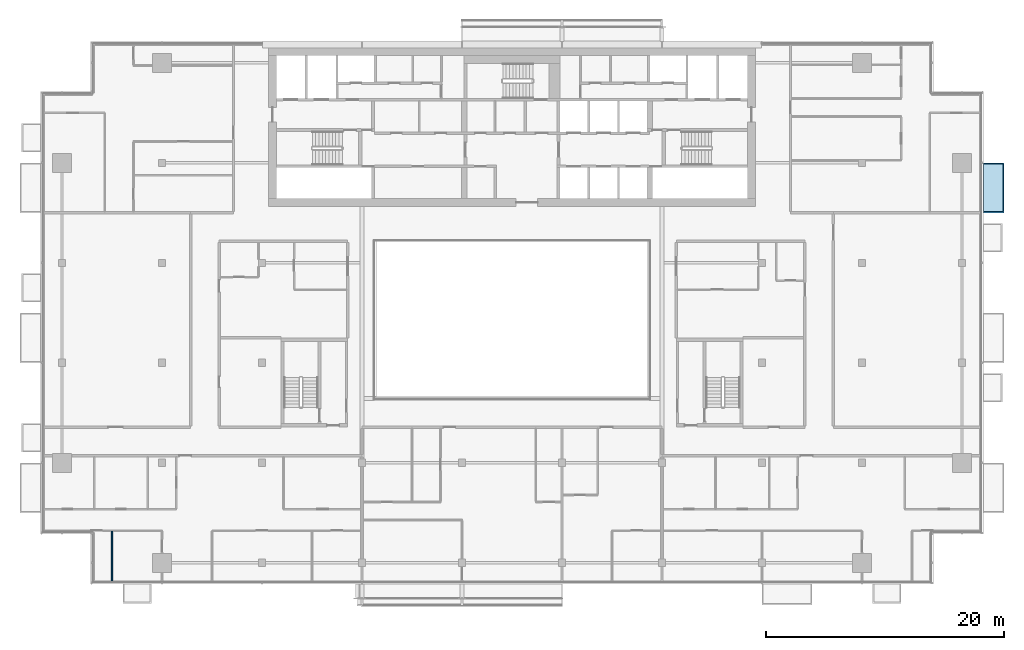
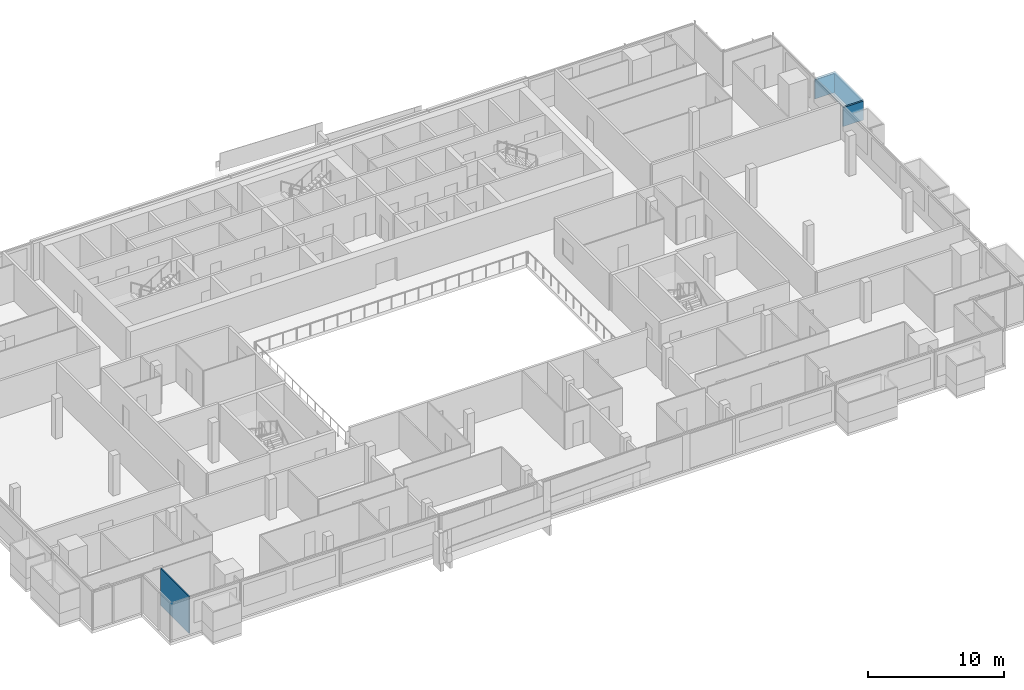
# One storey, part 17 of 27: 2 plates, 1 wall.
"""IFC4 building model written with IfcOpenShell, lengths in metres."""

from ifc_helpers import new_model, si_unit, direction, frame, frame_2d, origin, place, context, subcontext, project, spatial, polyline, rectangle, outline, extrude, material, layer, layer_set, type_object, element, save


model = new_model("IFC4")

# Units and contexts
model_context = context("Model", 3, precision=1e-05, world=origin(), true_north=direction((0.0, 1.0)))
body_context = subcontext(model_context, "Body", "Model", "MODEL_VIEW")
ifc_project = project(units=[si_unit("LENGTHUNIT", "METRE"), si_unit("AREAUNIT", "SQUARE_METRE"), si_unit("VOLUMEUNIT", "CUBIC_METRE"), si_unit("PLANEANGLEUNIT", "RADIAN"), si_unit("MASSUNIT", "GRAM", prefix="KILO")], contexts=[model_context])

# Site, building, storey
site_placement = place(None, origin())
site = spatial("IfcSite", under=ifc_project, at=site_placement, CompositionType="ELEMENT")
building_placement = place(site_placement, origin())
building = spatial("IfcBuilding", under=site, at=building_placement, Name="Saffron Gate Tower", CompositionType="ELEMENT")
storey_placement = place(building_placement, frame((0.0, 0.0, 209.10009765625)))
storey = spatial("IfcBuildingStorey", under=building, at=storey_placement, Name="L50", CompositionType="ELEMENT", Elevation=209.10009765625)

# Plates
ifc_material_1 = material(Name="Aluminium, bronze anodised", Category="aluminium")
ifc_layer_1 = layer(ifc_material_1, 0.1201171875)
ifc_layer_set_1 = layer_set([ifc_layer_1], Name="WB2 box roof")
plate_type_1 = type_object("IfcPlateType", Name="WB2 box roof", PredefinedType="SHEET", material=ifc_layer_set_1)
plate_1_placement = place(storey_placement, frame((0.0, 0.0, 2.699951171875)))
element("IfcPlate", 1, at=plate_1_placement, inside=storey, type_object=plate_type_1, Name="WINDOW BOX roof", PredefinedType="SHEET", context=body_context, shape_type="SweptSolid", body=[
    extrude(outline(polyline([(127.199951171875, 61.199951171875), (127.199951171875, 65.39990234375), (128.93310546875, 65.39990234375), (128.93310546875, 61.199951171875), (127.199951171875, 61.199951171875)])), origin(), (0.0, 0.0, 1.0), 0.119873046875),
])
ifc_material_2 = material(Name="Clear low-iron laminated glass", Category="glass")
ifc_layer_2 = layer(ifc_material_2, 0.10009765625)
ifc_layer_set_2 = layer_set([ifc_layer_2], Name="WB6 box glazing")
plate_type_2 = type_object("IfcPlateType", Name="WB6 box glazing", PredefinedType="SHEET", material=ifc_layer_set_2)
plate_2_placement = place(storey_placement, frame((0.0, 0.0, 1.0)))
element("IfcPlate", 2, at=plate_2_placement, inside=storey, type_object=plate_type_2, Name="WINDOW BOX glazing", PredefinedType="SHEET", context=body_context, shape_type="SweptSolid", body=[
    extrude(outline(polyline([(127.199951171875, 61.199951171875), (127.199951171875, 61.300048828125), (128.8330078125, 61.300048828125), (128.8330078125, 65.300048828125), (127.199951171875, 65.300048828125), (127.199951171875, 65.39990234375), (128.93310546875, 65.39990234375), (128.93310546875, 61.199951171875), (127.199951171875, 61.199951171875)])), origin(), (0.0, 0.0, 1.0), 1.699951171875),
])

# Wall
ifc_material_3 = material(Name="Plasterboard on steel studs", Category="steel")
ifc_layer_3 = layer(ifc_material_3, 0.10009765625)
ifc_layer_set_3 = layer_set([ifc_layer_3], Name="PW1 Partition 100")
wall_type = type_object("IfcWallType", Name="PW1 Partition 100", PredefinedType="PARTITIONING", material=ifc_layer_set_3)
wall_placement = place(storey_placement, frame((54.0, 34.449951171875, 0.0), z_axis=(0.0, 0.0, 1.0), x_axis=(0.0, -1.0, 0.0)))
element("IfcWall", 3, at=wall_placement, inside=storey, type_object=wall_type, Name="Partition D1-47", PredefinedType="PARTITIONING", context=body_context, shape_type="SweptSolid", body=[
    extrude(rectangle(XDim=4.169921875, YDim=0.10009765625, at=frame_2d((2.0849609375, 0.0))), origin(), (0.0, 0.0, 1.0), 3.31982421875),
])

save(model, "model.ifc")
